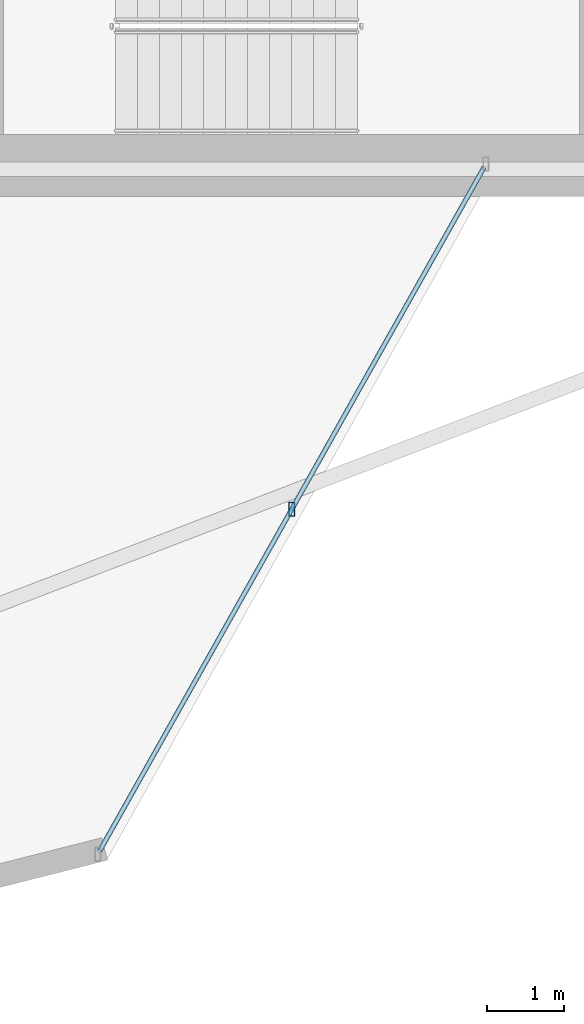
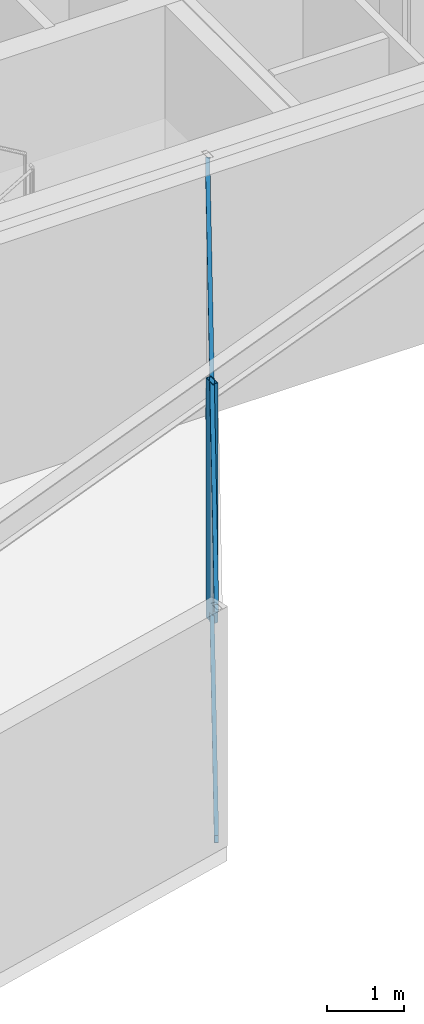
# One storey, part 13 of 23: 3 members, 1 element without a shape of its own.
"""IFC4 building model written with IfcOpenShell, lengths in metres."""

from ifc_helpers import new_model, si_unit, direction, frame, origin, origin_2d, place, context, subcontext, project, spatial, hollow_rectangle, extrude, material, layer, layer_set, material_profile, profile_set, type_object, element, aggregate, save


model = new_model("IFC4")

# Units and contexts
model_context = context("Model", 3, precision=1e-05, world=origin(), true_north=direction((0.0, 1.0)))
body_context = subcontext(model_context, "Body", "Model", "MODEL_VIEW")
ifc_project = project(units=[si_unit("LENGTHUNIT", "METRE"), si_unit("AREAUNIT", "SQUARE_METRE"), si_unit("VOLUMEUNIT", "CUBIC_METRE"), si_unit("PLANEANGLEUNIT", "RADIAN"), si_unit("MASSUNIT", "GRAM", prefix="KILO")], contexts=[model_context])

# Site, building, storey
site_placement = place(None, origin())
site = spatial("IfcSite", under=ifc_project, at=site_placement, CompositionType="ELEMENT")
building_placement = place(site_placement, origin())
building = spatial("IfcBuilding", under=site, at=building_placement, Name="Veymaron Broadcast Tower", CompositionType="ELEMENT")
storey_placement = place(building_placement, frame((0.0, 0.0, 165.449951171875)))
storey = spatial("IfcBuildingStorey", under=building, at=storey_placement, Name="L38", CompositionType="ELEMENT", Elevation=165.449951171875)

# Curtain wall, members
ifc_material_1 = material(Name="Anodised aluminium AA 6063-T6 and laminated low-E dark glass", Category="aluminium")
ifc_layer = layer(ifc_material_1, 0.179931640625)
ifc_layer_set = layer_set([ifc_layer], Name="Anodised aluminium AA 6063-T6 and laminated low-E dark glass")
curtain_wall_type = type_object("IfcCurtainWallType", Name="CW-SYS-03", PredefinedType="NOTDEFINED", material=ifc_layer_set)
curtain_wall_placement = place(storey_placement, origin())
curtain_wall = element("IfcCurtainWall", 1, at=curtain_wall_placement, inside=storey, type_object=curtain_wall_type, Name="L38 dark-glass curtain wall CW-L38-E1-1", PredefinedType="NOTDEFINED")
ifc_material_2 = material(Name="Anodised aluminium AA 6063-T6", Category="aluminium")
ifc_material_profile_1 = material_profile(ifc_material_2, hollow_rectangle(XDim=0.074951171875, YDim=0.179931640625, WallThickness=0.0048828125, at=origin_2d()), Name="AL180X75X5")
ifc_profile_set_1 = profile_set([ifc_material_profile_1], Name="Anodised aluminium AA 6063-T6")
member_type_1 = type_object("IfcMemberType", Name="CW-MUL-02", PredefinedType="MULLION", material=ifc_profile_set_1)
member_1_placement = place(storey_placement, frame((43.7138671875, 11.59765625, 0.0), z_axis=(0.0, 0.0, 1.0), x_axis=(1.0, 0.0, 0.0)))
member_1 = element("IfcMember", 2, at=member_1_placement, type_object=member_type_1, Name="CW-L38-E1-1 mullion 1", PredefinedType="MULLION", context=body_context, shape_type="SweptSolid", body=[
    extrude(hollow_rectangle(XDim=0.074951171875, YDim=0.179931640625, WallThickness=0.0048828125, at=origin_2d()), origin(), (0.0, 0.0, 1.0), 3.81005859375),
])
ifc_material_profile_2 = material_profile(ifc_material_2, hollow_rectangle(XDim=0.06005859375, YDim=0.1201171875, WallThickness=0.00390625, at=origin_2d()), Name="AL120X60X4")
ifc_profile_set_2 = profile_set([ifc_material_profile_2], Name="Anodised aluminium AA 6063-T6")
member_type_2 = type_object("IfcMemberType", Name="CW-TRN-02", PredefinedType="USERDEFINED", material=ifc_profile_set_2)
member_2_placement = place(storey_placement, frame((41.224365234375, 7.170166015625, 0.070068359375), z_axis=(0.490145992706, 0.871640353491, 0.0), x_axis=(-0.871640353491, 0.490145992706, 0.0)))
member_2 = element("IfcMember", 3, at=member_2_placement, type_object=member_type_2, Name="CW-L38-E1-1 transom B", ObjectType="TRANSOM", PredefinedType="USERDEFINED", context=body_context, shape_type="SweptSolid", body=[
    extrude(hollow_rectangle(XDim=0.06005859375, YDim=0.1201171875, WallThickness=0.00390625, at=origin_2d()), origin(), (0.0, 0.0, 1.0), 10.15869140625),
])
member_3_placement = place(storey_placement, frame((41.224365234375, 7.170166015625, 3.739990234375), z_axis=(0.490145992706, 0.871640353491, 0.0), x_axis=(-0.871640353491, 0.490145992706, 0.0)))
member_3 = element("IfcMember", 4, at=member_3_placement, type_object=member_type_2, Name="CW-L38-E1-1 transom T", ObjectType="TRANSOM", PredefinedType="USERDEFINED", context=body_context, shape_type="SweptSolid", body=[
    extrude(hollow_rectangle(XDim=0.06005859375, YDim=0.1201171875, WallThickness=0.00390625, at=origin_2d()), origin(), (0.0, 0.0, 1.0), 10.15869140625),
])
aggregate(curtain_wall, [member_1, member_2, member_3])

save(model, "model.ifc")
